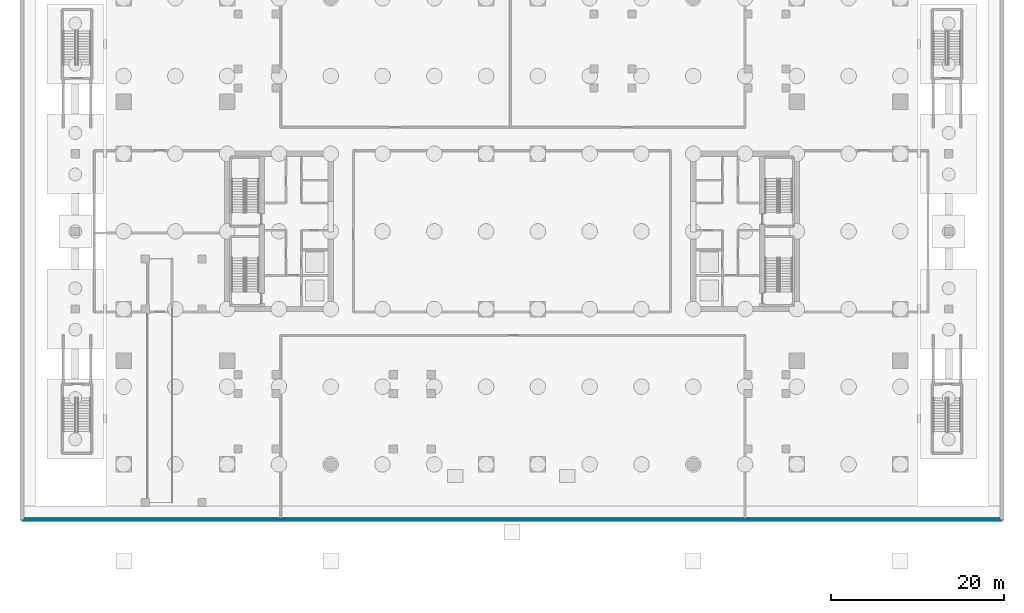
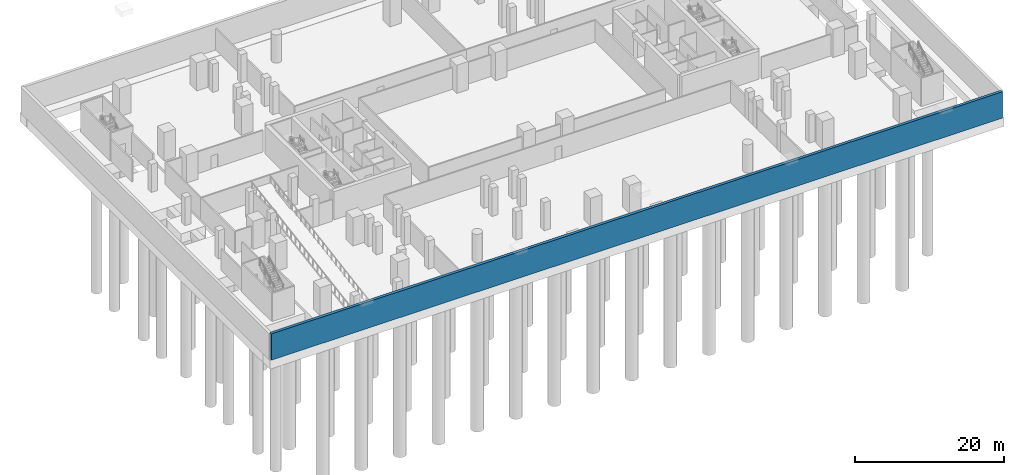
# One storey, part 4 of 14: 1 wall.
"""IFC4 building model written with IfcOpenShell, lengths in metres."""

from ifc_helpers import new_model, si_unit, direction, frame, frame_2d, origin, place, context, subcontext, project, spatial, rectangle, extrude, material, layer, layer_set, type_object, element, save


model = new_model("IFC4")

# Units and contexts
model_context = context("Model", 3, precision=1e-05, world=origin(), true_north=direction((0.0, 1.0)))
body_context = subcontext(model_context, "Body", "Model", "MODEL_VIEW")
ifc_project = project(units=[si_unit("LENGTHUNIT", "METRE"), si_unit("AREAUNIT", "SQUARE_METRE"), si_unit("VOLUMEUNIT", "CUBIC_METRE"), si_unit("PLANEANGLEUNIT", "RADIAN"), si_unit("MASSUNIT", "GRAM", prefix="KILO")], contexts=[model_context])

# Site, building, storey
site_placement = place(None, origin())
site = spatial("IfcSite", under=ifc_project, at=site_placement, CompositionType="ELEMENT")
building_placement = place(site_placement, origin())
building = spatial("IfcBuilding", under=site, at=building_placement, Name="Tanjung Sevakor Pilgrim Tower", CompositionType="ELEMENT")
storey_placement = place(building_placement, frame((0.0, 0.0, -9.239990234375)))
storey = spatial("IfcBuildingStorey", under=building, at=storey_placement, Name="B02", CompositionType="ELEMENT", Elevation=-9.239990234375)

# Wall
ifc_material = material(Name="Concrete C50/60", Category="concrete")
ifc_layer = layer(ifc_material, 0.449951171875)
ifc_layer_set = layer_set([ifc_layer], Name="WT-RET-450")
wall_type = type_object("IfcWallType", Name="WT-RET-450", PredefinedType="USERDEFINED", material=ifc_layer_set)
wall_placement = place(storey_placement, frame((0.22509765625, 0.22509765625, 0.0), z_axis=(0.0, 0.0, 1.0), x_axis=(1.0, 0.0, 0.0)))
element("IfcWall", 1, at=wall_placement, inside=storey, type_object=wall_type, Name="B02 Perimeter Retaining Wall 1", ObjectType="RETAININGWALL", PredefinedType="USERDEFINED", context=body_context, shape_type="SweptSolid", body=[
    extrude(rectangle(XDim=113.5498046875, YDim=0.449951171875, at=frame_2d((56.77490234375, 0.0))), origin(), (0.0, 0.0, 1.0), 4.320068359375),
])

save(model, "model.ifc")
